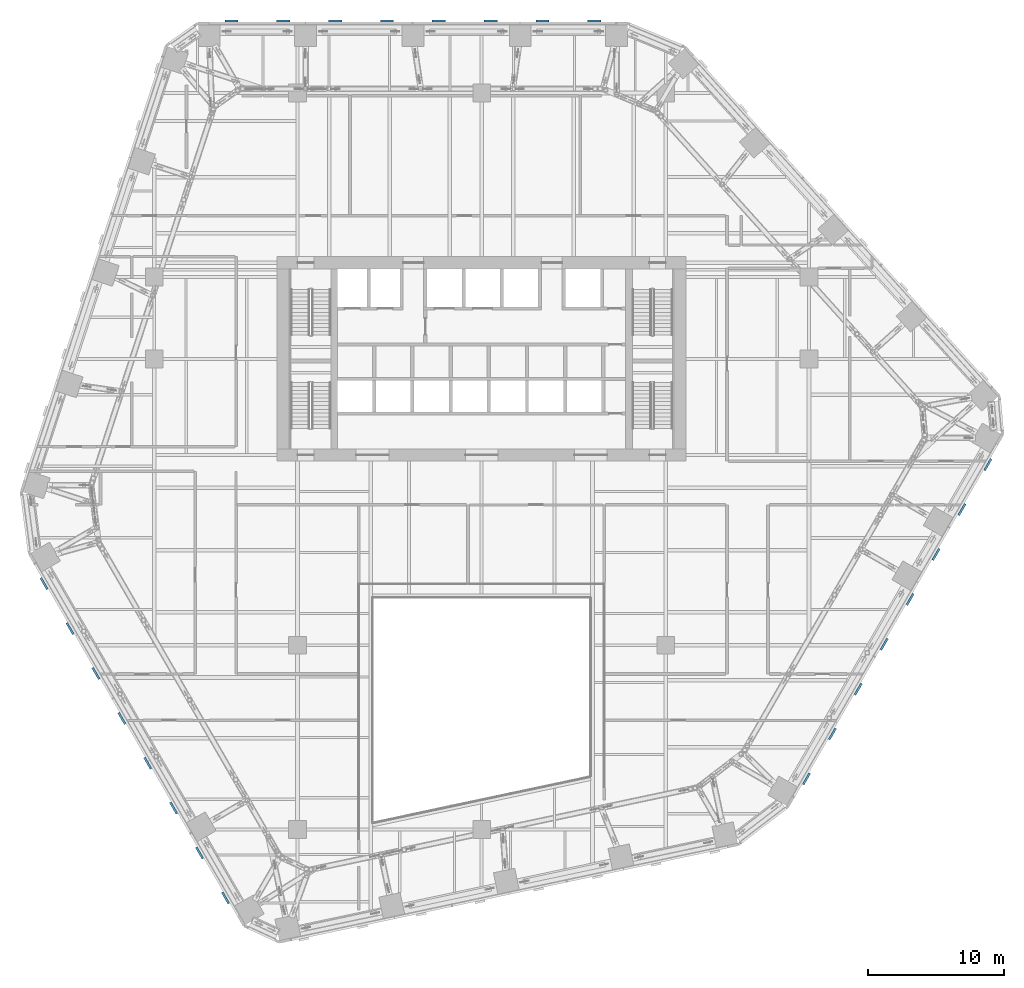
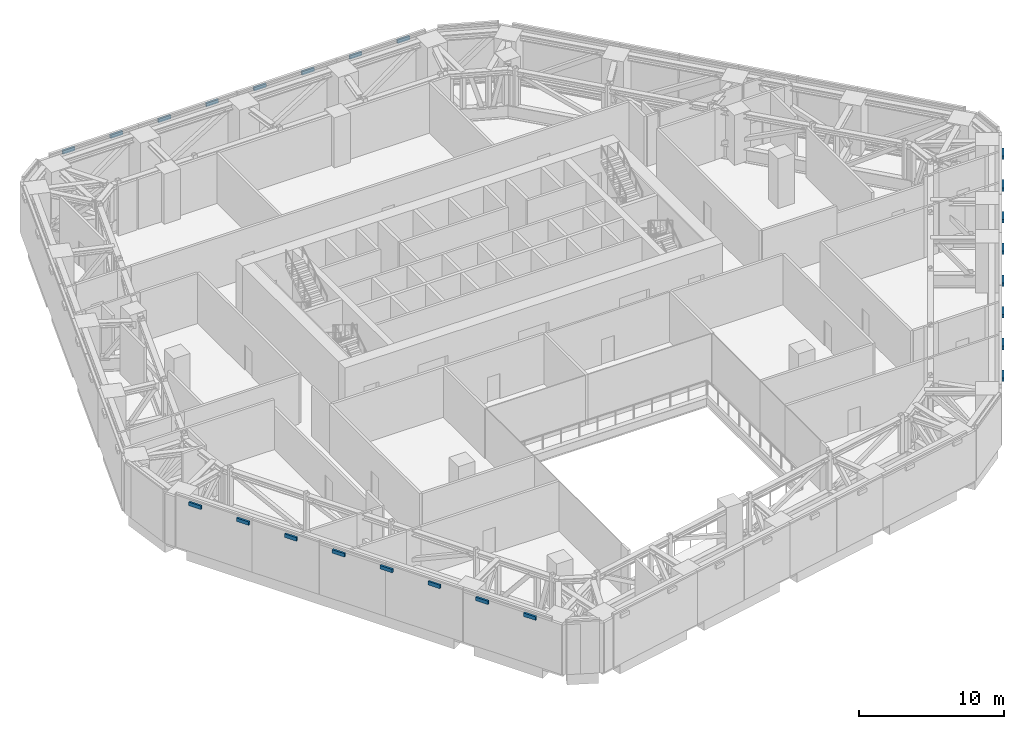
# One storey, part 26 of 36: 24 discrete accessories.
"""IFC4 building model written with IfcOpenShell, lengths in metres."""

from ifc_helpers import new_model, si_unit, direction, frame, origin, origin_2d, place, context, subcontext, project, spatial, rectangle, extrude, material, type_object, element, save


model = new_model("IFC4")

# Units and contexts
model_context = context("Model", 3, precision=1e-05, world=origin(), true_north=direction((0.0, 1.0)))
body_context = subcontext(model_context, "Body", "Model", "MODEL_VIEW")
ifc_project = project(units=[si_unit("LENGTHUNIT", "METRE"), si_unit("AREAUNIT", "SQUARE_METRE"), si_unit("VOLUMEUNIT", "CUBIC_METRE"), si_unit("PLANEANGLEUNIT", "RADIAN"), si_unit("MASSUNIT", "GRAM", prefix="KILO")], contexts=[model_context])

# Site, building, storey
site_placement = place(None, origin())
site = spatial("IfcSite", under=ifc_project, at=site_placement, CompositionType="ELEMENT")
building_placement = place(site_placement, origin())
building = spatial("IfcBuilding", under=site, at=building_placement, Name="Isthmus Gate Tower", CompositionType="ELEMENT")
storey_placement = place(building_placement, frame((0.0, 0.0, 117.14990234375)))
storey = spatial("IfcBuildingStorey", under=building, at=storey_placement, Name="L28", CompositionType="ELEMENT", Elevation=117.14990234375)

# Discrete accessories
ifc_material = material(Name="Structural steel ASTM A572 Gr 50, white paint system", Category="steel")
discrete_accessory_type = type_object("IfcDiscreteAccessoryType", Name="FIN BRACKET 970 X 150 X 300", PredefinedType="BRACKET", material=ifc_material)
for number, where, z_axis, x_axis, name in (
    (1, (8.2626953125, 32.27490234375, 3.9501953125), (0.0, 0.0, 1.0), (0.0, 1.0, 0.0), "FIN BRACKET"),
    (2, (4.462890625, 32.27490234375, 3.9501953125), (0.0, 0.0, 1.0), (0.0, 1.0, 0.0), "FIN BRACKET"),
    (3, (0.662841796875, 32.27490234375, 3.9501953125), (0.0, 0.0, 1.0), (0.0, 1.0, 0.0), "FIN BRACKET"),
    (4, (-3.13720703125, 32.27490234375, 3.9501953125), (0.0, 0.0, 1.0), (0.0, 1.0, 0.0), "FIN BRACKET"),
    (5, (-6.937255859375, 32.27490234375, 3.9501953125), (0.0, 0.0, 1.0), (0.0, 1.0, 0.0), "FIN BRACKET"),
    (6, (-10.7373046875, 32.27490234375, 3.9501953125), (0.0, 0.0, 1.0), (0.0, 1.0, 0.0), "FIN BRACKET"),
    (7, (-14.537109375, 32.27490234375, 3.9501953125), (0.0, 0.0, 1.0), (0.0, 1.0, 0.0), "FIN BRACKET"),
    (8, (-18.337158203125, 32.27490234375, 3.9501953125), (0.0, 0.0, 1.0), (0.0, 1.0, 0.0), "FIN BRACKET"),
    (9, (-32.082275390625, -8.981689453125, 3.9501953125), (0.0, 0.0, 1.0), (-0.866025403784, -0.5, 0.0), "FIN BRACKET"),
    (10, (-30.182373046875, -12.272705078125, 3.9501953125), (0.0, 0.0, 1.0), (-0.866025403784, -0.5, 0.0), "FIN BRACKET"),
    (11, (-28.282470703125, -15.5634765625, 3.9501953125), (0.0, 0.0, 1.0), (-0.866025403784, -0.5, 0.0), "FIN BRACKET"),
    (12, (-26.38232421875, -18.8544921875, 3.9501953125), (0.0, 0.0, 1.0), (-0.866025403784, -0.5, 0.0), "FIN BRACKET"),
    (13, (-24.482421875, -22.145263671875, 3.9501953125), (0.0, 0.0, 1.0), (-0.866025403784, -0.5, 0.0), "FIN BRACKET"),
    (14, (-22.582275390625, -25.436279296875, 3.9501953125), (0.0, 0.0, 1.0), (-0.866025403784, -0.5, 0.0), "FIN BRACKET"),
    (15, (-20.682373046875, -28.72705078125, 3.9501953125), (0.0, 0.0, 1.0), (-0.866025403784, -0.5, 0.0), "FIN BRACKET"),
    (16, (-18.782470703125, -32.01806640625, 3.9501953125), (0.0, 0.0, 1.0), (-0.866025403784, -0.5, 0.0), "FIN BRACKET"),
    (17, (23.819580078125, -23.293212890625, 3.9501953125), (0.0, 0.0, 1.0), (0.866025403784, -0.5, 0.0), "FIN BRACKET"),
    (18, (25.719482421875, -20.00244140625, 3.9501953125), (0.0, 0.0, 1.0), (0.866025403784, -0.5, 0.0), "FIN BRACKET"),
    (19, (27.61962890625, -16.71142578125, 3.9501953125), (0.0, 0.0, 1.0), (0.866025403784, -0.5, 0.0), "FIN BRACKET"),
    (20, (29.51953125, -13.420654296875, 3.9501953125), (0.0, 0.0, 1.0), (0.866025403784, -0.5, 0.0), "FIN BRACKET"),
    (21, (31.419677734375, -10.129638671875, 3.9501953125), (0.0, 0.0, 1.0), (0.866025403784, -0.5, 0.0), "FIN BRACKET"),
    (22, (33.319580078125, -6.8388671875, 3.9501953125), (0.0, 0.0, 1.0), (0.866025403784, -0.5, 0.0), "FIN BRACKET"),
    (23, (35.219482421875, -3.5478515625, 3.9501953125), (0.0, 0.0, 1.0), (0.866025403784, -0.5, 0.0), "FIN BRACKET"),
    (24, (37.11962890625, -0.257080078125, 3.9501953125), (0.0, 0.0, 1.0), (0.866025403784, -0.5, 0.0), "FIN BRACKET"),
):
    element("IfcDiscreteAccessory", number, at=place(storey_placement, frame(where, z_axis=z_axis, x_axis=x_axis)), inside=storey, type_object=discrete_accessory_type, Name=name, PredefinedType="BRACKET", context=body_context, shape_type="SweptSolid", body=[
        extrude(rectangle(XDim=0.14990234375, YDim=0.969970703125, at=origin_2d()), origin(), (0.0, 0.0, 1.0), 0.300048828125),
    ])

save(model, "model.ifc")
